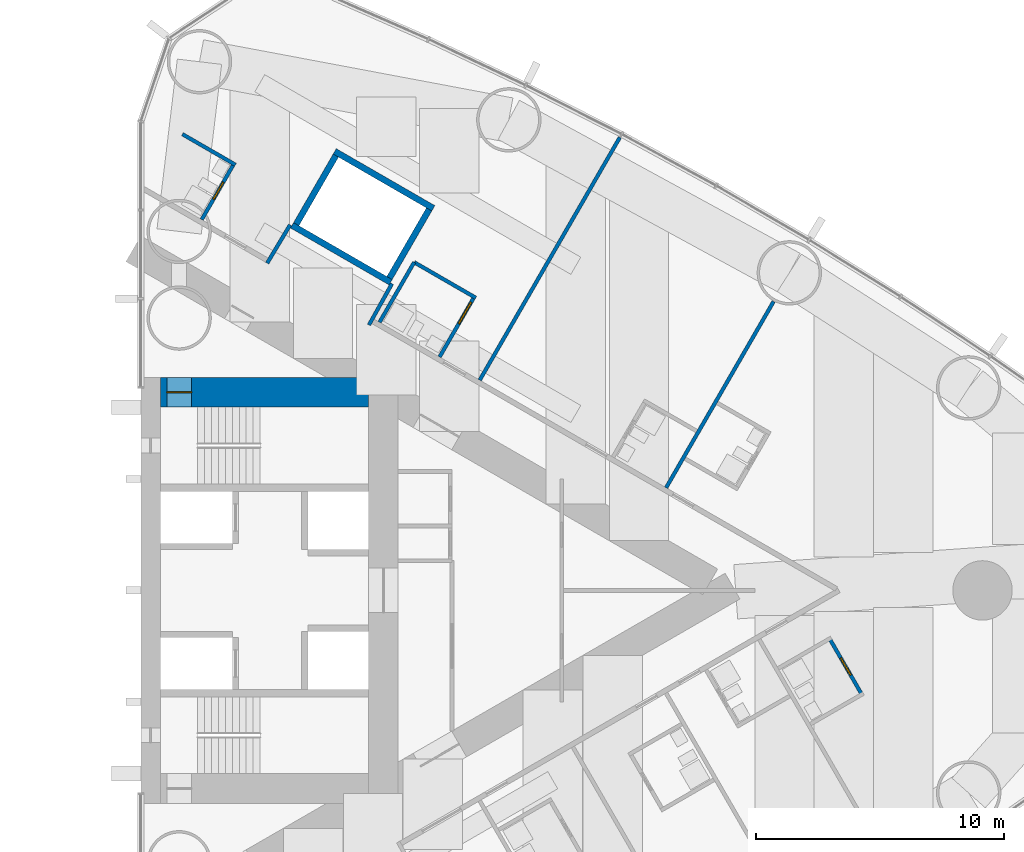
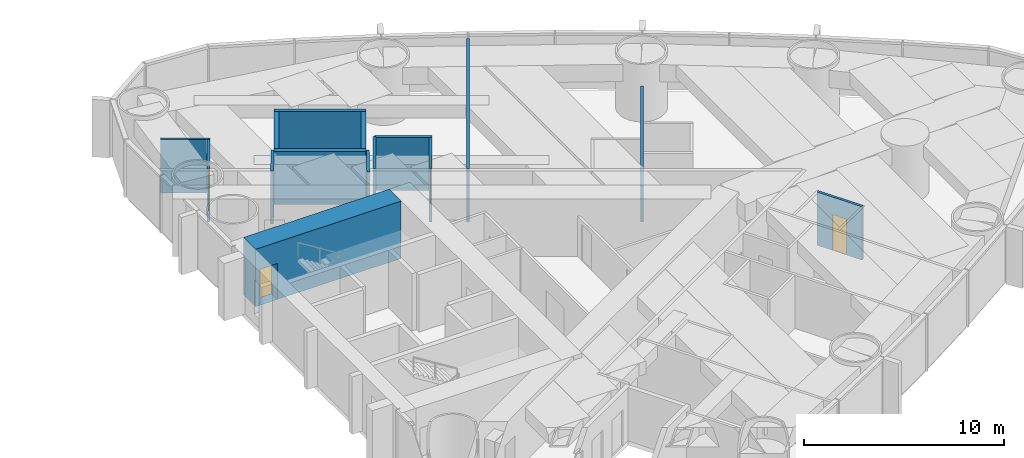
# One storey, part 15 of 18: 15 walls, 4 doors, 4 openings.
"""IFC4 building model written with IfcOpenShell, lengths in metres."""

from ifc_helpers import new_model, si_unit, direction, frame, frame_2d, origin, place, context, subcontext, project, spatial, rectangle, extrude, material, layer, layer_set, type_object, element, fill, save


model = new_model("IFC4")

# Units and contexts
model_context = context("Model", 3, precision=1e-05, world=origin(), true_north=direction((0.0, 1.0)))
body_context = subcontext(model_context, "Body", "Model", "MODEL_VIEW")
ifc_project = project(units=[si_unit("LENGTHUNIT", "METRE"), si_unit("AREAUNIT", "SQUARE_METRE"), si_unit("VOLUMEUNIT", "CUBIC_METRE"), si_unit("PLANEANGLEUNIT", "RADIAN"), si_unit("MASSUNIT", "GRAM", prefix="KILO")], contexts=[model_context])

# Site, building, storey
site_placement = place(None, origin())
site = spatial("IfcSite", under=ifc_project, at=site_placement, CompositionType="ELEMENT")
building_placement = place(site_placement, origin())
building = spatial("IfcBuilding", under=site, at=building_placement, Name="Lancet Gate Hotel", CompositionType="ELEMENT")
storey_placement = place(building_placement, frame((0.0, 0.0, 94.10009765625)))
storey = spatial("IfcBuildingStorey", under=building, at=storey_placement, Name="L24", CompositionType="ELEMENT", Elevation=94.10009765625)

# Wall, opening, door
ifc_material_1 = material(Name="Moisture resistant board partition")
ifc_layer_1 = layer(ifc_material_1, 0.14990234375)
ifc_layer_set_1 = layer_set([ifc_layer_1], Name="Bathroom wall 150")
wall_type_1 = type_object("IfcWallType", Name="Bathroom wall 150", PredefinedType="PARTITIONING", material=ifc_layer_set_1)
wall_1_placement = place(storey_placement, frame((55.32470703125, -1.949951171875, 0.0), z_axis=(0.0, 0.0, 1.0), x_axis=(0.500006934395, -0.866021400173, 0.0)))
wall_1 = element("IfcWall", 1, at=wall_1_placement, inside=storey, type_object=wall_type_1, Name="T2 bathroom wall 150 L24", PredefinedType="PARTITIONING", context=body_context, shape_type="SweptSolid", body=[
    extrude(rectangle(XDim=2.60009765625, YDim=0.14990234375, at=frame_2d((1.300048828125, 0.0))), origin(), (0.0, 0.0, 1.0), 3.25),
])
opening_1_placement = place(wall_1_placement, frame((0.89990234375, 0.0, 0.0)))
opening_1 = element("IfcOpeningElement", 2, at=opening_1_placement, cuts=wall_1, Name="Opening 2457-B", PredefinedType="OPENING", context=body_context, shape_type="SweptSolid", body=[
    extrude(rectangle(XDim=0.800048828125, YDim=2.199951171875, at=frame_2d((0.39990234375, 1.10009765625))), frame((0.0, 0.0849609375, 0.0), z_axis=(0.0, -1.0, 0.0), x_axis=(1.0, 0.0, 0.0)), (0.0, 0.0, 1.0), 0.169921875),
])
ifc_material_2 = material(Name="Timber door set", Category="wood")
door_type_1 = type_object("IfcDoorType", Name="Bathroom door 800", OperationType="SINGLE_SWING_RIGHT", PredefinedType="DOOR", material=ifc_material_2)
door_1_placement = place(opening_1_placement, origin())
door_1 = element("IfcDoor", 3, at=door_1_placement, inside=storey, type_object=door_type_1, Name="2457-B", OperationType="SINGLE_SWING_RIGHT", OverallHeight=2.199951171875, OverallWidth=0.800048828125, PredefinedType="DOOR", context=body_context, shape_type="SweptSolid", body=[
    extrude(rectangle(XDim=0.800048828125, YDim=2.199951171875, at=frame_2d((0.39990234375, 1.10009765625))), frame((0.0, 0.02490234375, 0.0), z_axis=(0.0, -1.0, 0.0), x_axis=(1.0, 0.0, 0.0)), (0.0, 0.0, 1.0), 0.050048828125),
])
fill(opening_1, door_1)

# Wall
wall_2_placement = place(storey_placement, frame((38.5439453125, 13.255126953125, 0.0), z_axis=(0.0, 0.0, 1.0), x_axis=(0.866018712932, -0.500011588718, 0.0)))
element("IfcWall", 4, at=wall_2_placement, inside=storey, type_object=wall_type_1, Name="T2 bathroom wall 150 L24", PredefinedType="PARTITIONING", context=body_context, shape_type="SweptSolid", body=[
    extrude(rectangle(XDim=2.875, YDim=0.14990234375, at=frame_2d((1.4375, 0.0))), origin(), (0.0, 0.0, 1.0), 3.25),
])

# Wall, opening, door
wall_3_placement = place(storey_placement, frame((39.56884765625, 9.43017578125, 0.0), z_axis=(0.0, 0.0, 1.0), x_axis=(0.49998411664, 0.866034573852, 0.0)))
wall_3 = element("IfcWall", 5, at=wall_3_placement, inside=storey, type_object=wall_type_1, Name="T2 bathroom wall 150 L24", PredefinedType="PARTITIONING", context=body_context, shape_type="SweptSolid", body=[
    extrude(rectangle(XDim=2.7998046875, YDim=0.14990234375, at=frame_2d((1.39990234375, 0.0))), origin(), (0.0, 0.0, 1.0), 3.25),
])
opening_2_placement = place(wall_3_placement, frame((1.550048828125, 0.0, 0.0)))
opening_2 = element("IfcOpeningElement", 6, at=opening_2_placement, cuts=wall_3, Name="Opening 2462-B", PredefinedType="OPENING", context=body_context, shape_type="SweptSolid", body=[
    extrude(rectangle(XDim=1.0, YDim=2.199951171875, at=frame_2d((0.5, 1.10009765625))), frame((0.0, 0.0849609375, 0.0), z_axis=(0.0, -1.0, 0.0), x_axis=(1.0, 0.0, 0.0)), (0.0, 0.0, 1.0), 0.169921875),
])
ifc_material_3 = material(Name="Timber door set", Category="wood")
door_type_2 = type_object("IfcDoorType", Name="Accessible en-suite door 1000", OperationType="SINGLE_SWING_RIGHT", PredefinedType="DOOR", material=ifc_material_3)
door_2_placement = place(opening_2_placement, origin())
door_2 = element("IfcDoor", 7, at=door_2_placement, inside=storey, type_object=door_type_2, Name="2462-B", OperationType="SINGLE_SWING_RIGHT", OverallHeight=2.199951171875, OverallWidth=1.0, PredefinedType="DOOR", context=body_context, shape_type="SweptSolid", body=[
    extrude(rectangle(XDim=1.0, YDim=2.199951171875, at=frame_2d((0.5, 1.10009765625))), frame((0.0, 0.02490234375, 0.0), z_axis=(0.0, -1.0, 0.0), x_axis=(1.0, 0.0, 0.0)), (0.0, 0.0, 1.0), 0.050048828125),
])
fill(opening_2, door_2)

# Walls
wall_4_placement = place(storey_placement, frame((37.143798828125, 10.830078125, 0.0), z_axis=(0.0, 0.0, 1.0), x_axis=(0.500011755427, 0.866018616679, 0.0)))
element("IfcWall", 8, at=wall_4_placement, inside=storey, type_object=wall_type_1, Name="T2 bathroom wall 150 L24", PredefinedType="PARTITIONING", context=body_context, shape_type="SweptSolid", body=[
    extrude(rectangle(XDim=2.80029296875, YDim=0.14990234375, at=frame_2d((1.400146484375, 0.0))), origin(), (0.0, 0.0, 1.0), 3.25),
])
wall_5_placement = place(storey_placement, frame((29.181884765625, 18.42919921875, 0.0), z_axis=(0.0, 0.0, 1.0), x_axis=(0.866006523861, -0.500032699561, 0.0)))
element("IfcWall", 9, at=wall_5_placement, inside=storey, type_object=wall_type_1, Name="T2 bathroom wall 150 L24", PredefinedType="PARTITIONING", context=body_context, shape_type="SweptSolid", body=[
    extrude(rectangle(XDim=2.474853515625, YDim=0.14990234375, at=frame_2d((1.2373046875, 0.0))), origin(), (0.0, 0.0, 1.0), 3.25),
])

# Wall, opening, door
wall_6_placement = place(storey_placement, frame((29.960205078125, 14.9775390625, 0.0), z_axis=(0.0, 0.0, 1.0), x_axis=(0.500006934395, 0.866021400173, 0.0)))
wall_6 = element("IfcWall", 10, at=wall_6_placement, inside=storey, type_object=wall_type_1, Name="T2 bathroom wall 150 L24", PredefinedType="PARTITIONING", context=body_context, shape_type="SweptSolid", body=[
    extrude(rectangle(XDim=2.60009765625, YDim=0.14990234375, at=frame_2d((1.300048828125, 0.0))), origin(), (0.0, 0.0, 1.0), 3.25),
])
opening_3_placement = place(wall_6_placement, frame((0.949951171875, 0.0, 0.0)))
opening_3 = element("IfcOpeningElement", 11, at=opening_3_placement, cuts=wall_6, Name="Opening 2464-B", PredefinedType="OPENING", context=body_context, shape_type="SweptSolid", body=[
    extrude(rectangle(XDim=0.800048828125, YDim=2.199951171875, at=frame_2d((0.39990234375, 1.10009765625))), frame((0.0, 0.0849609375, 0.0), z_axis=(0.0, -1.0, 0.0), x_axis=(1.0, 0.0, 0.0)), (0.0, 0.0, 1.0), 0.169921875),
])
door_3_placement = place(opening_3_placement, origin())
door_3 = element("IfcDoor", 12, at=door_3_placement, inside=storey, type_object=door_type_1, Name="2464-B", OperationType="SINGLE_SWING_RIGHT", OverallHeight=2.199951171875, OverallWidth=0.800048828125, PredefinedType="DOOR", context=body_context, shape_type="SweptSolid", body=[
    extrude(rectangle(XDim=0.800048828125, YDim=2.199951171875, at=frame_2d((0.39990234375, 1.10009765625))), frame((0.0, 0.02490234375, 0.0), z_axis=(0.0, -1.0, 0.0), x_axis=(1.0, 0.0, 0.0)), (0.0, 0.0, 1.0), 0.050048828125),
])
fill(opening_3, door_3)

ifc_material_4 = material(Name="Concrete C70/85", Category="concrete")
ifc_layer_2 = layer(ifc_material_4, 1.199951171875)
ifc_layer_set_2 = layer_set([ifc_layer_2], Name="Core wall 1200")
wall_type_2 = type_object("IfcWallType", Name="Core wall 1200", PredefinedType="SHEAR", material=ifc_layer_set_2)
wall_7_placement = place(storey_placement, frame((28.300048828125, 8.0, 0.0), z_axis=(0.0, 0.0, 1.0), x_axis=(1.0, 0.0, 0.0)))
wall_7 = element("IfcWall", 13, at=wall_7_placement, inside=storey, type_object=wall_type_2, Name="T2 core wall side-N L24", PredefinedType="SHEAR", context=body_context, shape_type="SweptSolid", body=[
    extrude(rectangle(XDim=8.39990234375, YDim=1.199951171875, at=frame_2d((4.199951171875, 0.0))), origin(), (0.0, 0.0, 1.0), 3.5),
])
opening_4_placement = place(wall_7_placement, frame((0.25, 0.0, 0.0)))
opening_4 = element("IfcOpeningElement", 14, at=opening_4_placement, cuts=wall_7, Name="Opening T2-L24-ST2", PredefinedType="OPENING", context=body_context, shape_type="SweptSolid", body=[
    extrude(rectangle(XDim=1.0, YDim=2.199951171875, at=frame_2d((0.5, 1.10009765625))), frame((0.0, 0.60986328125, 0.0), z_axis=(0.0, -1.0, 0.0), x_axis=(1.0, 0.0, 0.0)), (0.0, 0.0, 1.0), 1.219970703125),
])
ifc_material_5 = material(Name="Timber door set", Category="wood")
door_type_3 = type_object("IfcDoorType", Name="Stair door 1000", OperationType="SINGLE_SWING_RIGHT", PredefinedType="DOOR", material=ifc_material_5)
door_4_placement = place(opening_4_placement, origin())
door_4 = element("IfcDoor", 15, at=door_4_placement, inside=storey, type_object=door_type_3, Name="T2-L24-ST2", OperationType="SINGLE_SWING_RIGHT", OverallHeight=2.199951171875, OverallWidth=1.0, PredefinedType="DOOR", context=body_context, shape_type="SweptSolid", body=[
    extrude(rectangle(XDim=1.0, YDim=2.199951171875, at=frame_2d((0.5, 1.10009765625))), frame((0.0, 0.02490234375, 0.0), z_axis=(0.0, -1.0, 0.0), x_axis=(1.0, 0.0, 0.0)), (0.0, 0.0, 1.0), 0.050048828125),
])
fill(opening_4, door_4)

# Walls
ifc_material_6 = material(Name="Gypsum board partition")
ifc_layer_3 = layer(ifc_material_6, 0.25)
ifc_layer_set_3 = layer_set([ifc_layer_3], Name="Lift shaft partition 250")
wall_type_3 = type_object("IfcWallType", Name="Lift shaft partition 250", PredefinedType="PARTITIONING", material=ifc_layer_set_3)
for number, where, z_axis, x_axis, name in (
    (16, (33.6083984375, 14.747314453125, 0.0), (0.0, 0.0, 1.0), (0.866043305498, -0.49996899204, 0.0), "T2 lift shaft wall EX L24"),
    (17, (35.33349609375, 17.73583984375, 0.0), (0.0, 0.0, 1.0), (0.866043305498, -0.49996899204, 0.0), "T2 lift shaft wall EX L24"),
):
    element("IfcWall", number, at=place(storey_placement, frame(where, z_axis=z_axis, x_axis=x_axis)), inside=storey, type_object=wall_type_3, Name=name, PredefinedType="PARTITIONING", context=body_context, shape_type="SweptSolid", body=[
        extrude(rectangle(XDim=4.600341796875, YDim=0.25, at=frame_2d((2.30029296875, 0.0))), origin(), (0.0, 0.0, 1.0), 3.25),
    ])
for number, where, z_axis, x_axis, name in (
    (18, (33.779296875, 14.79296875, 0.0), (0.0, 0.0, 1.0), (0.499929347863, 0.866066190972, 0.0), "T2 lift shaft wall EX L24"),
    (19, (37.546630859375, 12.617919921875, 0.0), (0.0, 0.0, 1.0), (0.499929347863, 0.866066190972, 0.0), "T2 lift shaft wall EX L24"),
):
    element("IfcWall", number, at=place(storey_placement, frame(where, z_axis=z_axis, x_axis=x_axis)), inside=storey, type_object=wall_type_3, Name=name, PredefinedType="PARTITIONING", context=body_context, shape_type="SweptSolid", body=[
        extrude(rectangle(XDim=3.20068359375, YDim=0.25, at=frame_2d((1.600341796875, 0.0))), origin(), (0.0, 0.0, 1.0), 3.25),
    ])
ifc_material_7 = material(Name="Gypsum board partition")
ifc_layer_4 = layer(ifc_material_7, 0.14990234375)
ifc_layer_set_4 = layer_set([ifc_layer_4], Name="Party wall 150")
wall_type_4 = type_object("IfcWallType", Name="Party wall 150", PredefinedType="PARTITIONING", material=ifc_layer_set_4)
wall_8_placement = place(storey_placement, frame((41.18994140625, 8.494140625, 0.0), z_axis=(0.0, 0.0, 1.0), x_axis=(0.49999258054, 0.866029687369, 0.0)))
element("IfcWall", 20, at=wall_8_placement, inside=storey, type_object=wall_type_4, Name="T2 party wall 150 L24", PredefinedType="PARTITIONING", context=body_context, shape_type="SweptSolid", body=[
    extrude(rectangle(XDim=11.318115234375, YDim=0.14990234375, at=frame_2d((5.6591796875, 0.0))), origin(), (0.0, 0.0, 1.0), 3.25),
])
wall_9_placement = place(storey_placement, frame((48.718505859375, 4.1474609375, 0.0), z_axis=(0.0, 0.0, 1.0), x_axis=(0.499993328235, 0.866029255696, 0.0)))
element("IfcWall", 21, at=wall_9_placement, inside=storey, type_object=wall_type_4, Name="T2 party wall 150 L24", PredefinedType="PARTITIONING", context=body_context, shape_type="SweptSolid", body=[
    extrude(rectangle(XDim=8.68603515625, YDim=0.14990234375, at=frame_2d((4.343017578125, 0.0))), origin(), (0.0, 0.0, 1.0), 2.199951171875),
])
ifc_material_8 = material(Name="Gypsum board partition")
ifc_layer_5 = layer(ifc_material_8, 0.14990234375)
ifc_layer_set_5 = layer_set([ifc_layer_5], Name="Service room wall 150")
wall_type_5 = type_object("IfcWallType", Name="Service room wall 150", PredefinedType="PARTITIONING", material=ifc_layer_set_5)
wall_10_placement = place(storey_placement, frame((36.718505859375, 10.723388671875, 0.0), z_axis=(0.0, 0.0, 1.0), x_axis=(0.486348184724, 0.87376509613, 0.0)))
element("IfcWall", 22, at=wall_10_placement, inside=storey, type_object=wall_type_5, Name="T2 service room wall 150 L24", PredefinedType="PARTITIONING", context=body_context, shape_type="SweptSolid", body=[
    extrude(rectangle(XDim=1.91015625, YDim=0.14990234375, at=frame_2d((0.955078125, 0.0))), origin(), (0.0, 0.0, 1.0), 3.25),
])
wall_11_placement = place(storey_placement, frame((33.533447265625, 14.767333984375, 0.0), z_axis=(0.0, 0.0, 1.0), x_axis=(-0.514296815006, -0.857612258585, 0.0)))
element("IfcWall", 23, at=wall_11_placement, inside=storey, type_object=wall_type_5, Name="T2 service room wall 150 L24", PredefinedType="PARTITIONING", context=body_context, shape_type="SweptSolid", body=[
    extrude(rectangle(XDim=1.804931640625, YDim=0.14990234375, at=frame_2d((0.90234375, 0.0))), origin(), (0.0, 0.0, 1.0), 3.25),
])

save(model, "model.ifc")
